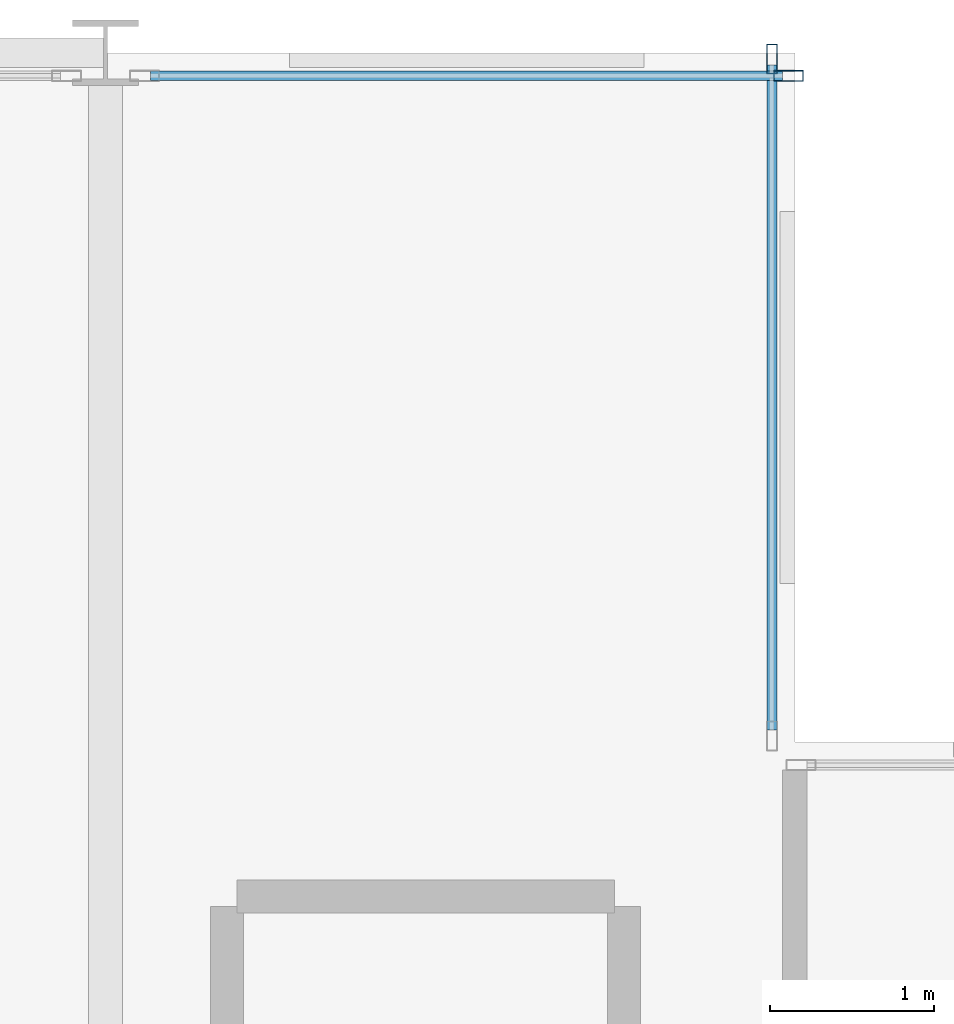
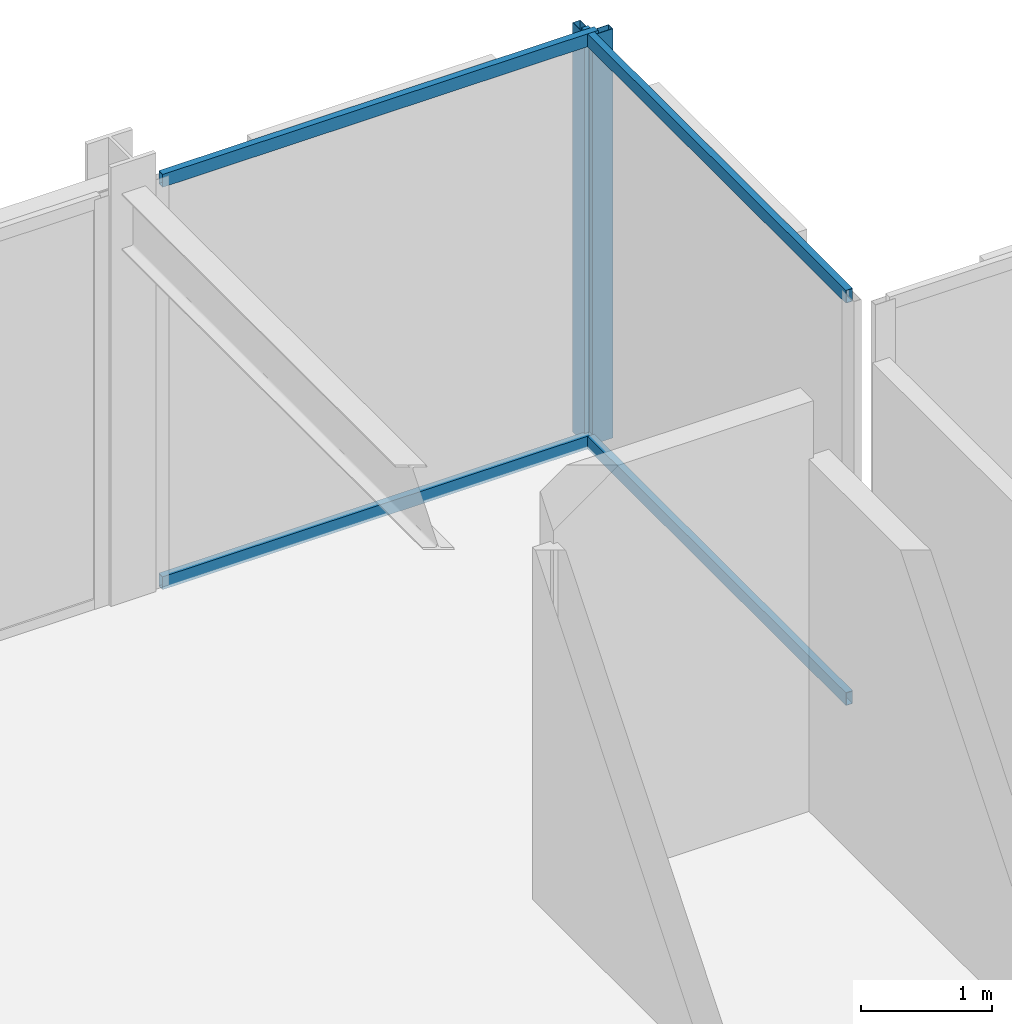
# One storey, part 22 of 29: 6 members, 2 elements without a shape of their own.
"""IFC4 building model written with IfcOpenShell, lengths in metres."""

from ifc_helpers import new_model, si_unit, direction, frame, origin, origin_2d, place, context, subcontext, project, spatial, hollow_rectangle, extrude, material, layer, layer_set, material_profile, profile_set, type_object, element, aggregate, save


model = new_model("IFC4")

# Units and contexts
model_context = context("Model", 3, precision=1e-05, world=origin(), true_north=direction((0.0, 1.0)))
body_context = subcontext(model_context, "Body", "Model", "MODEL_VIEW")
ifc_project = project(units=[si_unit("LENGTHUNIT", "METRE"), si_unit("AREAUNIT", "SQUARE_METRE"), si_unit("VOLUMEUNIT", "CUBIC_METRE"), si_unit("PLANEANGLEUNIT", "RADIAN"), si_unit("MASSUNIT", "GRAM", prefix="KILO")], contexts=[model_context])

# Site, building, storey
site_placement = place(None, origin())
site = spatial("IfcSite", under=ifc_project, at=site_placement, CompositionType="ELEMENT")
building_placement = place(site_placement, origin())
building = spatial("IfcBuilding", under=site, at=building_placement, Name="Nerrivon Quay Data Exchange", CompositionType="ELEMENT")
storey_placement = place(building_placement, frame((0.0, 0.0, 125.39990234375)))
storey = spatial("IfcBuildingStorey", under=building, at=storey_placement, Name="L29", CompositionType="ELEMENT", Elevation=125.39990234375)

# Curtain wall, member
ifc_material = material(Name="Anodised aluminium 6063-T6", Category="aluminium")
ifc_layer = layer(ifc_material, 0.2099609375)
ifc_layer_set = layer_set([ifc_layer], Name="Anodised aluminium 6063-T6")
curtain_wall_type = type_object("IfcCurtainWallType", Name="CW-SYS-02", PredefinedType="NOTDEFINED", material=ifc_layer_set)
curtain_wall_1_placement = place(storey_placement, origin())
curtain_wall_1 = element("IfcCurtainWall", 1, at=curtain_wall_1_placement, inside=storey, type_object=curtain_wall_type, Name="L29 Unitised Curtain Wall 20", PredefinedType="NOTDEFINED")
ifc_material_profile_1 = material_profile(ifc_material, hollow_rectangle(XDim=0.06494140625, YDim=0.179931640625, WallThickness=0.00341796875, at=origin_2d()), Name="ALU-MULL-180x65")
ifc_profile_set_1 = profile_set([ifc_material_profile_1], Name="Anodised aluminium 6063-T6")
member_type_1 = type_object("IfcMemberType", Name="CWM-180x65", PredefinedType="MULLION", material=ifc_profile_set_1)
member_1_placement = place(storey_placement, frame((20.96240234375, 50.260009765625, 0.0), z_axis=(0.0, 0.0, 1.0), x_axis=(0.0, 1.0, 0.0)))
member_1 = element("IfcMember", 2, at=member_1_placement, type_object=member_type_1, Name="CW02 mullion 2", PredefinedType="MULLION", context=body_context, shape_type="SweptSolid", body=[
    extrude(hollow_rectangle(XDim=0.06494140625, YDim=0.179931640625, WallThickness=0.00341796875, at=origin_2d()), origin(), (0.0, 0.0, 1.0), 3.8251953125),
])

curtain_wall_2_placement = place(storey_placement, origin())
curtain_wall_2 = element("IfcCurtainWall", 3, at=curtain_wall_2_placement, inside=storey, type_object=curtain_wall_type, Name="L29 Unitised Curtain Wall 21", PredefinedType="NOTDEFINED")
member_2_placement = place(storey_placement, frame((20.860107421875, 50.362548828125, 0.0), z_axis=(0.0, 0.0, 1.0), x_axis=(1.0, 0.0, 0.0)))
member_2 = element("IfcMember", 4, at=member_2_placement, type_object=member_type_1, Name="CW02 mullion 1", PredefinedType="MULLION", context=body_context, shape_type="SweptSolid", body=[
    extrude(hollow_rectangle(XDim=0.06494140625, YDim=0.179931640625, WallThickness=0.00341796875, at=origin_2d()), origin(), (0.0, 0.0, 1.0), 3.8251953125),
])

# Member
ifc_material_profile_2 = material_profile(ifc_material, hollow_rectangle(XDim=0.06005859375, YDim=0.1201171875, WallThickness=0.003173828125, at=origin_2d()), Name="ALU-TRAN-120x60")
ifc_profile_set_2 = profile_set([ifc_material_profile_2], Name="Anodised aluminium 6063-T6")
member_type_2 = type_object("IfcMemberType", Name="CWT-120x60", PredefinedType="USERDEFINED", material=ifc_profile_set_2)
member_3_placement = place(storey_placement, frame((17.074951171875, 50.260009765625, 0.03271484375), z_axis=(1.0, 0.0, 0.0), x_axis=(0.0, 1.0, 0.0)))
member_3 = element("IfcMember", 5, at=member_3_placement, type_object=member_type_2, Name="CW02 transom 1.1", ObjectType="TRANSOM", PredefinedType="USERDEFINED", context=body_context, shape_type="SweptSolid", body=[
    extrude(hollow_rectangle(XDim=0.06005859375, YDim=0.1201171875, WallThickness=0.003173828125, at=origin_2d()), origin(), (0.0, 0.0, 1.0), 3.85009765625),
])

member_4_placement = place(storey_placement, frame((17.074951171875, 50.260009765625, 3.79248046875), z_axis=(1.0, 0.0, 0.0), x_axis=(0.0, 1.0, 0.0)))
member_4 = element("IfcMember", 6, at=member_4_placement, type_object=member_type_2, Name="CW02 transom 1.2", ObjectType="TRANSOM", PredefinedType="USERDEFINED", context=body_context, shape_type="SweptSolid", body=[
    extrude(hollow_rectangle(XDim=0.06005859375, YDim=0.1201171875, WallThickness=0.003173828125, at=origin_2d()), origin(), (0.0, 0.0, 1.0), 3.85009765625),
])

aggregate(curtain_wall_1, [member_1, member_3, member_4])

member_5_placement = place(storey_placement, frame((20.860107421875, 50.324951171875, 0.03271484375), z_axis=(0.0, -1.0, 0.0), x_axis=(1.0, 0.0, 0.0)))
member_5 = element("IfcMember", 7, at=member_5_placement, type_object=member_type_2, Name="CW02 transom 1.1", ObjectType="TRANSOM", PredefinedType="USERDEFINED", context=body_context, shape_type="SweptSolid", body=[
    extrude(hollow_rectangle(XDim=0.06005859375, YDim=0.1201171875, WallThickness=0.003173828125, at=origin_2d()), origin(), (0.0, 0.0, 1.0), 4.050048828125),
])

member_6_placement = place(storey_placement, frame((20.860107421875, 50.324951171875, 3.79248046875), z_axis=(0.0, -1.0, 0.0), x_axis=(1.0, 0.0, 0.0)))
member_6 = element("IfcMember", 8, at=member_6_placement, type_object=member_type_2, Name="CW02 transom 1.2", ObjectType="TRANSOM", PredefinedType="USERDEFINED", context=body_context, shape_type="SweptSolid", body=[
    extrude(hollow_rectangle(XDim=0.06005859375, YDim=0.1201171875, WallThickness=0.003173828125, at=origin_2d()), origin(), (0.0, 0.0, 1.0), 4.050048828125),
])

aggregate(curtain_wall_2, [member_2, member_5, member_6])

save(model, "model.ifc")
